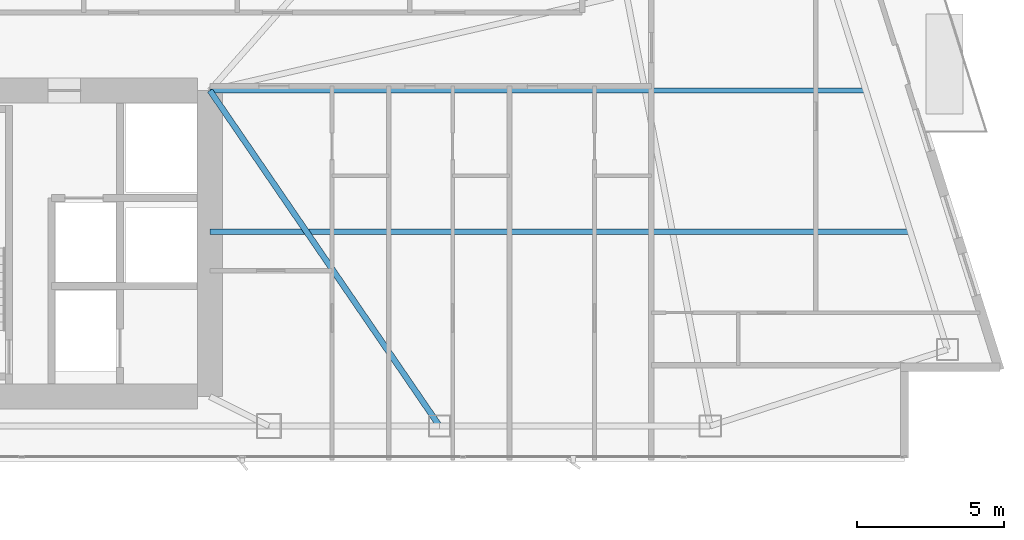
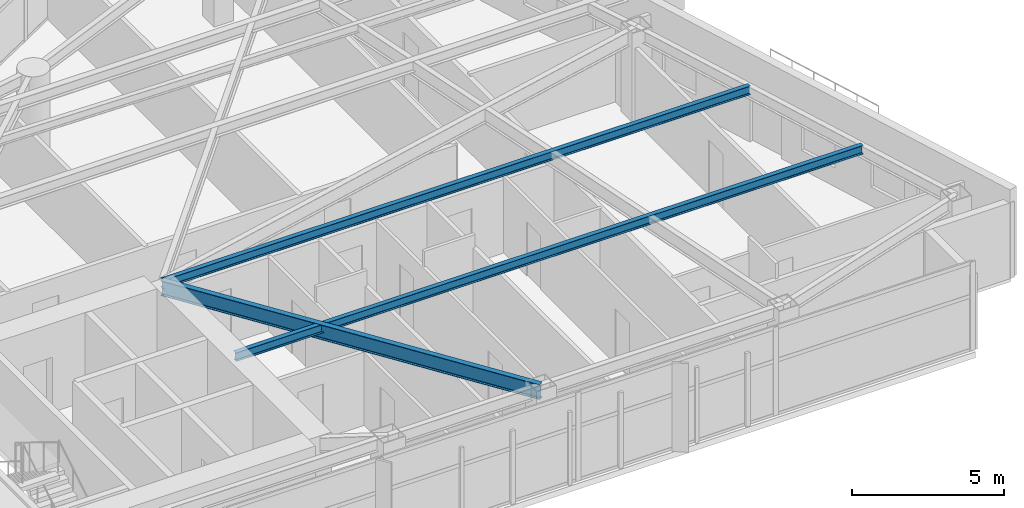
# One storey, part 13 of 28: 3 beams.
"""IFC4 building model written with IfcOpenShell, lengths in metres."""

import ifcopenshell
import ifcopenshell.guid

model = None  # the IFC model being written
_history = None  # IfcOwnerHistory: only IFC2X3 demands one
_inside = {}  # id of a spatial element -> (the spatial element, [elements in it])
_under = {}  # id of a project, library or spatial element -> (it, [spatial elements below it])
_declared = {}  # id of a project -> (the project, [libraries it declares])
_typed = {}  # id of a type object -> (the type object, [elements of that type])
_made_of = {}  # id of a material, layer set ... -> (it, [elements and type objects made of it])


def new_model(schema):
    """Start an empty IFC model of exactly this schema.

    Asked for "IFC4X3", IfcOpenShell would pick the latest addendum, in which some entities
    have other attributes; the version numbers below select the first issue.
    IFC2X3 requires an IfcOwnerHistory on every rooted entity: one is made here for all.
    """
    global model, _history
    if schema == "IFC4X3":
        model = ifcopenshell.file(schema_version=(4, 3, 0, 0))
    else:
        model = ifcopenshell.file(schema=schema)
    _inside.clear()
    _under.clear()
    _declared.clear()
    _typed.clear()
    _made_of.clear()
    _history = None
    if model.schema == "IFC2X3":
        org = make("IfcOrganization", Name="unknown")
        user = make(
            "IfcPersonAndOrganization",
            ThePerson=make("IfcPerson", FamilyName="unknown"),
            TheOrganization=org,
        )
        app = make(
            "IfcApplication",
            ApplicationDeveloper=org,
            Version="unknown",
            ApplicationFullName="unknown",
            ApplicationIdentifier="unknown",
        )
        _history = make(
            "IfcOwnerHistory",
            OwningUser=user,
            OwningApplication=app,
            ChangeAction="ADDED",
            CreationDate=0,
        )
    return model


def make(cls, **values):
    """One entity of the class cls with the attributes given. An attribute that is None is left unset."""
    return model.create_entity(
        cls, **{name: value for name, value in values.items() if value is not None}
    )


def rooted(cls, **values):
    """An entity with a GlobalId (a new one), such as an element, a storey or a relation."""
    return make(cls, GlobalId=ifcopenshell.guid.new(), OwnerHistory=_history, **values)


def si_unit(unit_type, name, prefix=None):
    """IfcSIUnit, for example si_unit("LENGTHUNIT", "METRE", prefix="MILLI")."""
    return make("IfcSIUnit", UnitType=unit_type, Prefix=prefix, Name=name)


def assignment(units):
    """IfcUnitAssignment: the units of a project."""
    return None if units is None else make("IfcUnitAssignment", Units=units)


def point(xyz):
    """IfcCartesianPoint."""
    return None if xyz is None else make("IfcCartesianPoint", Coordinates=xyz)


def direction(xyz):
    """IfcDirection."""
    return None if xyz is None else make("IfcDirection", DirectionRatios=xyz)


def frame(location, z_axis=None, x_axis=None):
    """IfcAxis2Placement3D, a coordinate frame: its origin and axes. An axis left out is left unset."""
    return make(
        "IfcAxis2Placement3D",
        Location=point(location),
        Axis=direction(z_axis),
        RefDirection=direction(x_axis),
    )


def frame_2d(location, x_axis=None):
    """IfcAxis2Placement2D, a coordinate frame in the plane: its origin and x axis."""
    return make(
        "IfcAxis2Placement2D", Location=point(location), RefDirection=direction(x_axis)
    )


def origin():
    """The frame at (0, 0, 0) with its axes left unset."""
    return frame((0.0, 0.0, 0.0))


def origin_2d():
    """The frame at (0, 0) in the plane with its x axis left unset."""
    return frame_2d((0.0, 0.0))


def place(relative_to, where):
    """IfcLocalPlacement: puts the frame where relative to a parent placement (None: the world)."""
    return make(
        "IfcLocalPlacement", PlacementRelTo=relative_to, RelativePlacement=where
    )


def context(
    kind, dimensions, precision=None, world=None, true_north=None, identifier=None
):
    """IfcGeometricRepresentationContext, for example the 3D "Model" context."""
    return make(
        "IfcGeometricRepresentationContext",
        ContextIdentifier=identifier,
        ContextType=kind,
        CoordinateSpaceDimension=dimensions,
        Precision=precision,
        WorldCoordinateSystem=world,
        TrueNorth=true_north,
    )


def subcontext(parent, identifier, kind, view, scale=None):
    """IfcGeometricRepresentationSubContext, for example "Body" below "Model"."""
    return make(
        "IfcGeometricRepresentationSubContext",
        ContextIdentifier=identifier,
        ContextType=kind,
        ParentContext=parent,
        TargetScale=scale,
        TargetView=view,
    )


def project(units=None, contexts=None):
    """IfcProject with its units and contexts."""
    return rooted(
        "IfcProject",
        Name="project",
        RepresentationContexts=contexts,
        UnitsInContext=assignment(units),
    )


def spatial(cls, under=None, at=None, **own):
    """A site, building, storey or space (cls), placed at a placement, below another one or the project."""
    s = rooted(cls, ObjectPlacement=at, **own)
    if under is not None:
        _under.setdefault(under.id(), (under, []))[1].append(s)
    return s


def profile(cls, at=None, kind="AREA", **sizes):
    """A parametric profile (cls). Its sizes go by their IFC names, for example OverallWidth=200.0."""
    return make(cls, ProfileType=kind, Position=at, **sizes)


def i_section(**sizes):
    """IfcIShapeProfileDef."""
    return profile("IfcIShapeProfileDef", **sizes)


def extrude(swept, where, along, depth):
    """IfcExtrudedAreaSolid: the profile swept, set in the frame where, extruded along a direction by depth."""
    return make(
        "IfcExtrudedAreaSolid",
        SweptArea=swept,
        Position=where,
        ExtrudedDirection=direction(along),
        Depth=depth,
    )


def shape(context_of_items, identifier, shape_type, items):
    """IfcShapeRepresentation: the items that make up one representation, for example the "Body"."""
    return make(
        "IfcShapeRepresentation",
        ContextOfItems=context_of_items,
        RepresentationIdentifier=identifier,
        RepresentationType=shape_type,
        Items=items,
    )


def material(Name=None, Category=None):
    """IfcMaterial."""
    return make("IfcMaterial", Name=Name, Category=Category)


def material_profile(
    of_material, cross_section, Name=None, Category=None, Priority=None
):
    """IfcMaterialProfile: a cross section and its material."""
    return make(
        "IfcMaterialProfile",
        Name=Name,
        Material=of_material,
        Profile=cross_section,
        Priority=Priority,
        Category=Category,
    )


def profile_set(profiles, Name=None, composite=None):
    """IfcMaterialProfileSet."""
    return make(
        "IfcMaterialProfileSet",
        Name=Name,
        MaterialProfiles=profiles,
        CompositeProfile=composite,
    )


def made_of(thing, what):
    """Note that an element or type object is made of a material, layer set ...; save() writes the relation."""
    if what is not None:
        _made_of.setdefault(what.id(), (what, []))[1].append(thing)
    return thing


def type_object(cls, material=None, **own):
    """A type object (cls), such as IfcWallType, which elements share."""
    return made_of(rooted(cls, **own), material)


def element(
    cls,
    number,
    at=None,
    inside=None,
    cuts=None,
    type_object=None,
    material=None,
    context=None,
    identifier="Body",
    shape_type=None,
    held_by="IfcProductDefinitionShape",
    body=None,
    shapes=None,
    **own,
):
    """One element of the class cls, such as IfcWall. Its Tag is "e" and its number.

    at: its placement. inside: the storey or other place that contains it. cuts: it is an
    opening in that element (IfcRelVoidsElement). A single representation is given by context,
    identifier, shape_type and body (its items); several are given by shapes. held_by: the class
    of the entity that holds the representations. save() writes the other relations.
    """
    e = rooted(cls, Tag="e%d" % number, ObjectPlacement=at, **own)
    if body is not None:
        shapes = [shape(context, identifier, shape_type, body)]
    if shapes is not None:
        e.Representation = make(held_by, Representations=shapes)
    if inside is not None:
        _inside.setdefault(inside.id(), (inside, []))[1].append(e)
    if cuts is not None:
        rooted(
            "IfcRelVoidsElement", RelatingBuildingElement=cuts, RelatedOpeningElement=e
        )
    if type_object is not None:
        _typed.setdefault(type_object.id(), (type_object, []))[1].append(e)
    return made_of(e, material)


def aggregate(whole, parts):
    """IfcRelAggregates: a whole, such as a stair, and the parts it consists of."""
    return rooted("IfcRelAggregates", RelatingObject=whole, RelatedObjects=parts)


def save(model, path):
    """Write the relations noted so far, then the file.

    IfcRelAggregates (storeys below a building ...), IfcRelContainedInSpatialStructure (elements
    in a storey), IfcRelDefinesByType, IfcRelAssociatesMaterial and IfcRelDeclares: one each for
    every whole, place, type object, material and project.
    """
    for whole, parts in _under.values():
        aggregate(whole, parts)
    for where, things in _inside.values():
        rooted(
            "IfcRelContainedInSpatialStructure",
            RelatedElements=things,
            RelatingStructure=where,
        )
    for kind, things in _typed.values():
        rooted("IfcRelDefinesByType", RelatedObjects=things, RelatingType=kind)
    for what, things in _made_of.values():
        rooted("IfcRelAssociatesMaterial", RelatedObjects=things, RelatingMaterial=what)
    for by, libraries in _declared.values():
        rooted("IfcRelDeclares", RelatingContext=by, RelatedDefinitions=libraries)
    model.write(path)


model = new_model("IFC4")

# Units and contexts
model_context = context("Model", 3, precision=1e-05, world=origin(), true_north=direction((0.0, 1.0)))
body_context = subcontext(model_context, "Body", "Model", "MODEL_VIEW")
ifc_project = project(units=[si_unit("LENGTHUNIT", "METRE"), si_unit("AREAUNIT", "SQUARE_METRE"), si_unit("VOLUMEUNIT", "CUBIC_METRE"), si_unit("PLANEANGLEUNIT", "RADIAN"), si_unit("MASSUNIT", "GRAM", prefix="KILO")], contexts=[model_context])

# Site, building, storey
site_placement = place(None, origin())
site = spatial("IfcSite", under=ifc_project, at=site_placement, CompositionType="ELEMENT")
building_placement = place(site_placement, origin())
building = spatial("IfcBuilding", under=site, at=building_placement, Name="Calvorn Quay Hotel", CompositionType="ELEMENT")
storey_placement = place(building_placement, frame((0.0, 0.0, 178.89990234375)))
storey = spatial("IfcBuildingStorey", under=building, at=storey_placement, Name="L44", CompositionType="ELEMENT", Elevation=178.89990234375)

# Beams
ifc_material_1 = material(Name="Steel Q355B", Category="steel")
ifc_material_profile_1 = material_profile(ifc_material_1, i_section(OverallWidth=0.199951171875, OverallDepth=0.60009765625, WebThickness=0.010986328125, FlangeThickness=0.01708984375, FilletRadius=0.01806640625, at=origin_2d()), Name="HN600x200x11x17")
ifc_profile_set_1 = profile_set([ifc_material_profile_1], Name="Steel Q355B")
beam_type_1 = type_object("IfcBeamType", Name="BM-GIRD-TYP", PredefinedType="BEAM", material=ifc_profile_set_1)
beam_1_placement = place(storey_placement, frame((40.199951171875, 3.60009765625, 3.239990234375), z_axis=(-0.564689618177, 0.825303359452, 0.0), x_axis=(-0.825303359452, -0.564689618177, 0.0)))
element("IfcBeam", 1, at=beam_1_placement, inside=storey, type_object=beam_type_1, Name="Beam BG-L44-E6", PredefinedType="BEAM", context=body_context, shape_type="SweptSolid", body=[
    extrude(i_section(OverallWidth=0.199951171875, OverallDepth=0.60009765625, WebThickness=0.010986328125, FlangeThickness=0.01708984375, FilletRadius=0.01806640625, at=origin_2d()), origin(), (0.0, 0.0, 1.0), 13.81298828125),
])
ifc_material_2 = material(Name="Steel Q355B", Category="steel")
ifc_material_profile_2 = material_profile(ifc_material_2, i_section(OverallWidth=0.175048828125, OverallDepth=0.35009765625, WebThickness=0.007080078125, FlangeThickness=0.010986328125, FilletRadius=0.013916015625, at=origin_2d()), Name="HN350x175x7x11")
ifc_profile_set_2 = profile_set([ifc_material_profile_2], Name="Steel Q355B")
beam_type_2 = type_object("IfcBeamType", Name="BM-JOIST-SEC", PredefinedType="JOIST", material=ifc_profile_set_2)
beam_2_placement = place(storey_placement, frame((32.39990234375, 10.199951171875, 3.364990234375), z_axis=(1.0, 0.0, 0.0), x_axis=(0.0, 1.0, 0.0)))
element("IfcBeam", 2, at=beam_2_placement, inside=storey, type_object=beam_type_2, Name="Beam BJ-L44-E1", PredefinedType="JOIST", context=body_context, shape_type="SweptSolid", body=[
    extrude(i_section(OverallWidth=0.175048828125, OverallDepth=0.35009765625, WebThickness=0.007080078125, FlangeThickness=0.010986328125, FilletRadius=0.013916015625, at=origin_2d()), origin(), (0.0, 0.0, 1.0), 23.801025390625),
])
beam_3_placement = place(storey_placement, frame((32.39990234375, 15.0, 3.364990234375), z_axis=(1.0, 0.0, 0.0), x_axis=(0.0, 1.0, 0.0)))
element("IfcBeam", 3, at=beam_3_placement, inside=storey, type_object=beam_type_2, Name="Beam BJ-L44-E2", PredefinedType="JOIST", context=body_context, shape_type="SweptSolid", body=[
    extrude(i_section(OverallWidth=0.175048828125, OverallDepth=0.35009765625, WebThickness=0.007080078125, FlangeThickness=0.010986328125, FilletRadius=0.013916015625, at=origin_2d()), origin(), (0.0, 0.0, 1.0), 22.2880859375),
])

save(model, "model.ifc")
